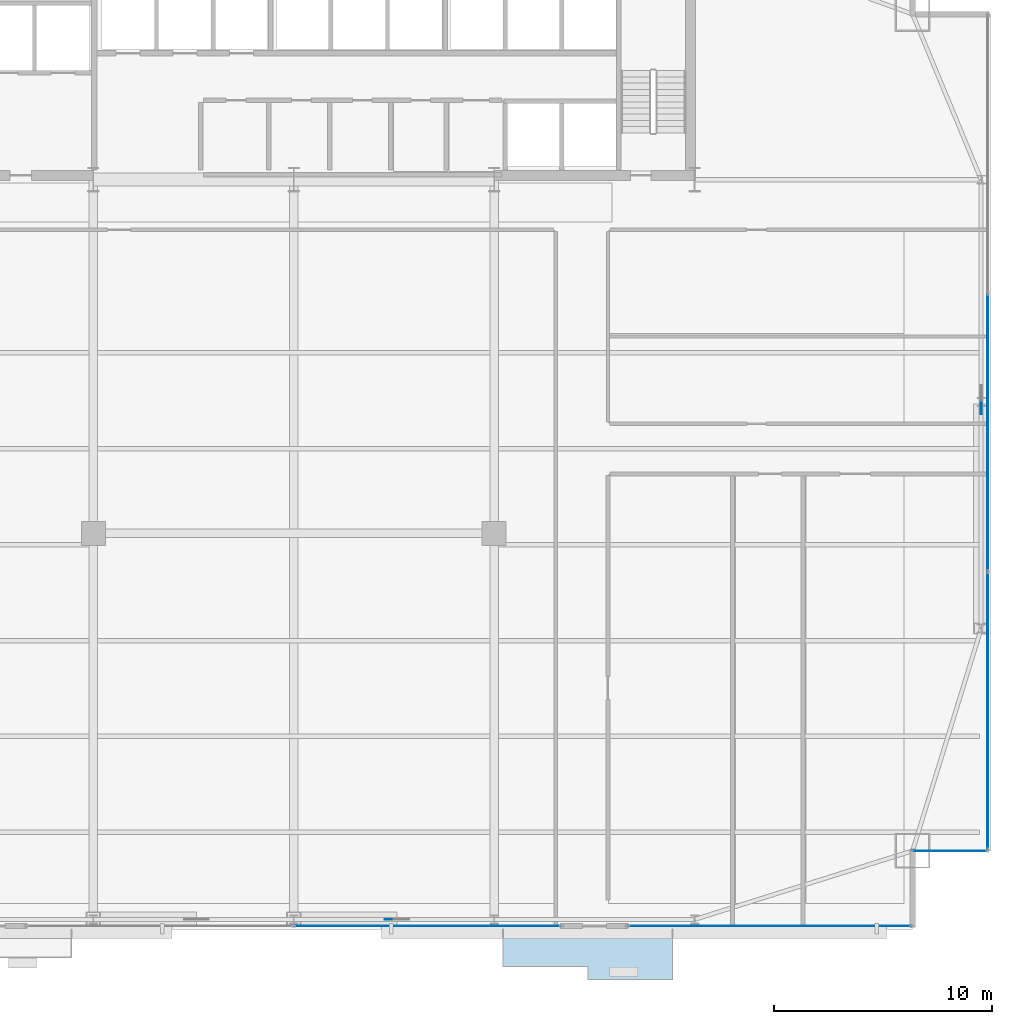
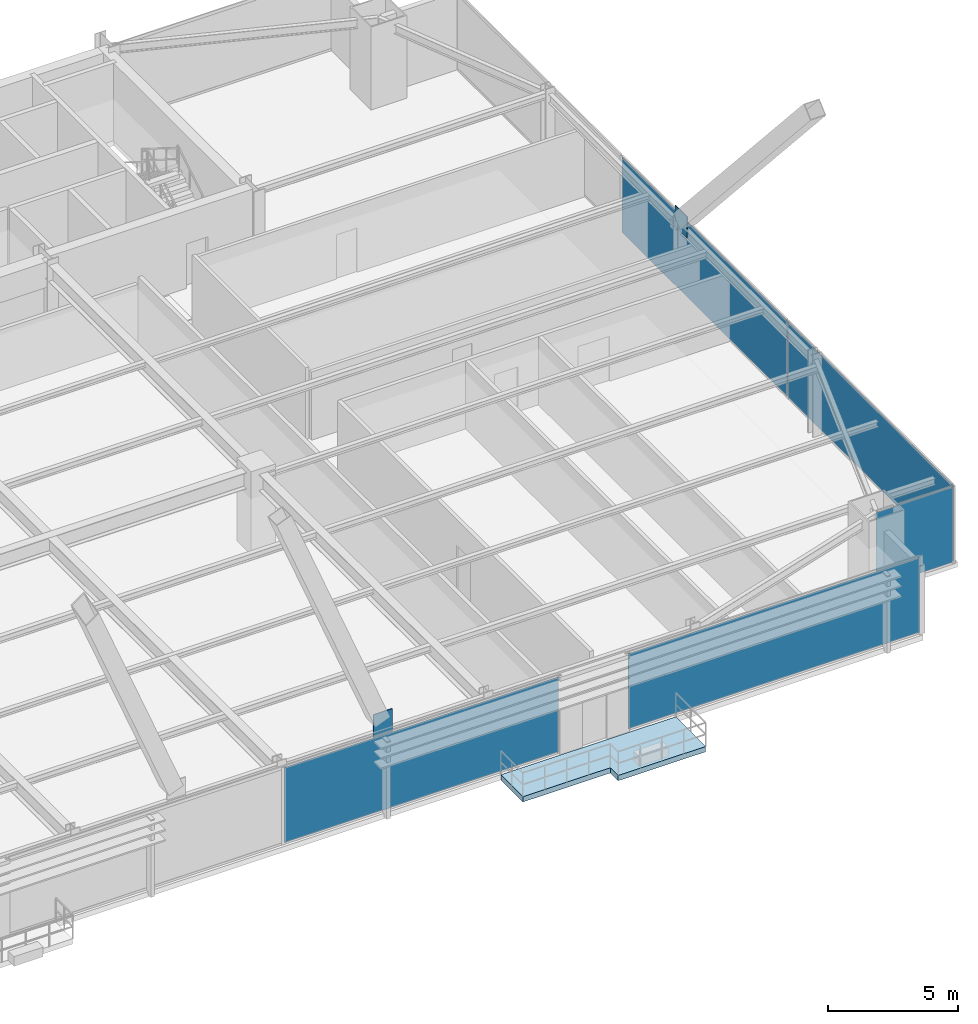
# One storey, part 27 of 35: 7 plates, 1 slab, 4 elements without a shape of their own.
"""IFC4 building model written with IfcOpenShell, lengths in metres."""

from ifc_helpers import new_model, si_unit, direction, frame, origin, origin_2d, place, context, subcontext, project, spatial, polyline, rectangle, outline, extrude, source, transform, mapped, material, layer, layer_set, type_object, type_shapes, element, aggregate, save


model = new_model("IFC4")

# Units and contexts
model_context = context("Model", 3, precision=1e-05, world=origin(), true_north=direction((0.0, 1.0)))
body_context = subcontext(model_context, "Body", "Model", "MODEL_VIEW")
ifc_project = project(units=[si_unit("LENGTHUNIT", "METRE"), si_unit("AREAUNIT", "SQUARE_METRE"), si_unit("VOLUMEUNIT", "CUBIC_METRE"), si_unit("PLANEANGLEUNIT", "RADIAN"), si_unit("MASSUNIT", "GRAM", prefix="KILO")], contexts=[model_context])

# Site, building, storey
site_placement = place(None, origin())
site = spatial("IfcSite", under=ifc_project, at=site_placement, CompositionType="ELEMENT")
building_placement = place(site_placement, origin())
building = spatial("IfcBuilding", under=site, at=building_placement, Name="Varnel Quay Broadcast Tower", CompositionType="ELEMENT")
storey_placement = place(building_placement, frame((0.0, 0.0, 66.60009765625)))
storey = spatial("IfcBuildingStorey", under=building, at=storey_placement, Name="L15", CompositionType="ELEMENT", Elevation=66.60009765625)

# Slab
ifc_material_1 = material(Name="Concrete CSA A23.3 C40/50", Category="concrete")
ifc_layer_1 = layer(ifc_material_1, 0.25, Name="Concrete CSA A23.3 C40/50")
ifc_layer_set_1 = layer_set([ifc_layer_1], Name="Concrete CSA A23.3 C40/50")
slab_type = type_object("IfcSlabType", Name="Slab_ExtTerrace250", PredefinedType="FLOOR", material=ifc_layer_set_1)
slab_placement = place(storey_placement, frame((0.0, 0.0, -0.25)))
element("IfcSlab", 1, at=slab_placement, inside=storey, type_object=slab_type, Name="L15 Planted Lobe Terrace Slab 2", PredefinedType="FLOOR", context=body_context, shape_type="SweptSolid", body=[
    extrude(outline(polyline([(43.60009765625, -0.5048828125), (47.4951171875, -0.5048828125), (47.4951171875, -1.10498046875), (51.389892578125, -1.10498046875), (51.389892578125, 1.199951171875), (43.60009765625, 1.199951171875), (43.60009765625, -0.5048828125)])), origin(), (0.0, 0.0, 1.0), 0.25),
])

# Plates
ifc_material_2 = material(Name="Structural Steel CSA G40.21 350WT", Category="steel")
ifc_layer_2 = layer(ifc_material_2, 0.0400390625, Name="Structural Steel CSA G40.21 350WT")
ifc_layer_set_2 = layer_set([ifc_layer_2], Name="Structural Steel CSA G40.21 350WT")
plate_type_1 = type_object("IfcPlateType", Name="Plate_MegaGusset", PredefinedType="USERDEFINED", material=ifc_layer_set_2)
shared_shape_1 = source(origin(), body_context, "Body", "SweptSolid", [
    extrude(rectangle(XDim=0.8349609375, YDim=0.0400390625, at=origin_2d()), origin(), (0.0, 0.0, 1.0), 1.429931640625),
])
plate_1_placement = place(storey_placement, frame((38.60009765625, 1.64990234375, 3.02490234375), z_axis=(0.0, 0.0, 1.0), x_axis=(1.0, 0.0, 0.0)))
element("IfcPlate", 2, at=plate_1_placement, inside=storey, type_object=plate_type_1, Name="Zone 1 Mega-Brace S-C2T3 Central X-Crossing Gusset Plate", ObjectType="GUSSET_PLATE", PredefinedType="USERDEFINED", context=body_context, shape_type="MappedRepresentation", body=[
    mapped(shared_shape_1, transform((0.0, 0.0, 0.0), x_axis=(1.0, 0.0, 0.0), y_axis=(0.0, 1.0, 0.0), z_axis=(0.0, 0.0, 1.0), scale=1.0)),
])
shared_shape_2 = source(origin(), body_context, "Body", "SweptSolid", [
    extrude(rectangle(XDim=0.943115234375, YDim=0.0400390625, at=origin_2d()), origin(), (0.0, 0.0, 1.0), 1.001953125),
])
type_shapes(plate_type_1, [shared_shape_1, shared_shape_2])
plate_2_placement = place(storey_placement, frame((65.550048828125, 25.300048828125, 3.239013671875), z_axis=(0.0, 0.0, 1.0), x_axis=(0.0, 1.0, 0.0)))
element("IfcPlate", 3, at=plate_2_placement, inside=storey, type_object=plate_type_1, Name="Zone 1 Mega-Brace E-FT3 Central X-Crossing Gusset Plate", ObjectType="GUSSET_PLATE", PredefinedType="USERDEFINED", context=body_context, shape_type="MappedRepresentation", body=[
    mapped(shared_shape_2, transform((0.0, 0.0, 0.0), x_axis=(1.0, 0.0, 0.0), y_axis=(0.0, 1.0, 0.0), z_axis=(0.0, 0.0, 1.0), scale=1.0)),
])

# Curtain wall, plate
ifc_material_3 = material(Name="Anodised Bronze Aluminium 6063-T6", Category="aluminium")
ifc_layer_3 = layer(ifc_material_3, 0.18994140625, Name="Anodised Bronze Aluminium 6063-T6")
ifc_layer_set_3 = layer_set([ifc_layer_3], Name="Anodised Bronze Aluminium 6063-T6")
curtain_wall_type_1 = type_object("IfcCurtainWallType", Name="CW_LowerTower", PredefinedType="NOTDEFINED", material=ifc_layer_set_3)
curtain_wall_1_placement = place(storey_placement, origin())
curtain_wall_1 = element("IfcCurtainWall", 4, at=curtain_wall_1_placement, inside=storey, type_object=curtain_wall_type_1, Name="L15 South Unitised Curtain Wall 3", PredefinedType="NOTDEFINED")
ifc_material_4 = material(Name="Triple-Glazed Bronze Low-E Architectural Glass", Category="glass")
ifc_layer_4 = layer(ifc_material_4, 0.031982421875, Name="Triple-Glazed Bronze Low-E Architectural Glass")
ifc_layer_set_4 = layer_set([ifc_layer_4], Name="Triple-Glazed Bronze Low-E Architectural Glass")
plate_type_2 = type_object("IfcPlateType", Name="Panel_CWS-02", PredefinedType="CURTAIN_PANEL", material=ifc_layer_set_4)
shared_shape_3 = source(origin(), body_context, "Body", "SweptSolid", [
    extrude(rectangle(XDim=12.97998046875, YDim=0.031982421875, at=origin_2d()), origin(), (0.0, 0.0, 1.0), 3.530029296875),
])
plate_3_placement = place(storey_placement, frame((55.840087890625, 1.35009765625, 0.06005859375), z_axis=(0.0, 0.0, 1.0), x_axis=(1.0, 0.0, 0.0)))
plate_3 = element("IfcPlate", 5, at=plate_3_placement, type_object=plate_type_2, Name="CWS-02 panel 1.1", PredefinedType="CURTAIN_PANEL", context=body_context, shape_type="MappedRepresentation", body=[
    mapped(shared_shape_3, transform((0.0, 0.0, 0.0), x_axis=(1.0, 0.0, 0.0), y_axis=(0.0, 1.0, 0.0), z_axis=(0.0, 0.0, 1.0), scale=1.0)),
])
aggregate(curtain_wall_1, [plate_3])

curtain_wall_2_placement = place(storey_placement, origin())
curtain_wall_2 = element("IfcCurtainWall", 6, at=curtain_wall_2_placement, inside=storey, type_object=curtain_wall_type_1, Name="L15 South Unitised Curtain Wall 2", PredefinedType="NOTDEFINED")
ifc_material_5 = material(Name="Insulated Bronze Spandrel Glass", Category="glass")
ifc_layer_5 = layer(ifc_material_5, 0.031982421875, Name="Insulated Bronze Spandrel Glass")
ifc_layer_set_5 = layer_set([ifc_layer_5], Name="Insulated Bronze Spandrel Glass")
plate_type_3 = type_object("IfcPlateType", Name="PanelSp_CWS-02", PredefinedType="CURTAIN_PANEL", material=ifc_layer_set_5)
shared_shape_4 = source(origin(), body_context, "Body", "SweptSolid", [
    extrude(rectangle(XDim=12.215087890625, YDim=0.031982421875, at=origin_2d()), origin(), (0.0, 0.0, 1.0), 3.530029296875),
])
plate_4_placement = place(storey_placement, frame((40.142578125, 1.35009765625, 0.06005859375), z_axis=(0.0, 0.0, 1.0), x_axis=(1.0, 0.0, 0.0)))
plate_4 = element("IfcPlate", 7, at=plate_4_placement, type_object=plate_type_3, Name="CWS-02 panel 2.1", PredefinedType="CURTAIN_PANEL", context=body_context, shape_type="MappedRepresentation", body=[
    mapped(shared_shape_4, transform((0.0, 0.0, 0.0), x_axis=(1.0, 0.0, 0.0), y_axis=(0.0, 1.0, 0.0), z_axis=(0.0, 0.0, 1.0), scale=1.0)),
])
aggregate(curtain_wall_2, [plate_4])

curtain_wall_3_placement = place(storey_placement, origin())
curtain_wall_3 = element("IfcCurtainWall", 8, at=curtain_wall_3_placement, inside=storey, type_object=curtain_wall_type_1, Name="L15 East Unitised Curtain Wall", PredefinedType="NOTDEFINED")
shared_shape_5 = source(origin(), body_context, "Body", "SweptSolid", [
    extrude(rectangle(XDim=12.72998046875, YDim=0.031982421875, at=origin_2d()), origin(), (0.0, 0.0, 1.0), 3.530029296875),
])
type_shapes(plate_type_3, [shared_shape_4, shared_shape_5])
plate_5_placement = place(storey_placement, frame((65.85009765625, 24.0, 0.06005859375), z_axis=(0.0, 0.0, 1.0), x_axis=(0.0, 1.0, 0.0)))
plate_5 = element("IfcPlate", 9, at=plate_5_placement, type_object=plate_type_3, Name="CWS-02 panel 2.1", PredefinedType="CURTAIN_PANEL", context=body_context, shape_type="MappedRepresentation", body=[
    mapped(shared_shape_5, transform((0.0, 0.0, 0.0), x_axis=(1.0, 0.0, 0.0), y_axis=(0.0, 1.0, 0.0), z_axis=(0.0, 0.0, 1.0), scale=1.0)),
])

ifc_layer_6 = layer(ifc_material_3, 0.18994140625, Name="Anodised Bronze Aluminium 6063-T6")
ifc_layer_set_6 = layer_set([ifc_layer_6], Name="Anodised Bronze Aluminium 6063-T6")
curtain_wall_type_2 = type_object("IfcCurtainWallType", Name="CW_NotchCorner", PredefinedType="NOTDEFINED", material=ifc_layer_set_6)
curtain_wall_4_placement = place(storey_placement, origin())
curtain_wall_4 = element("IfcCurtainWall", 10, at=curtain_wall_4_placement, inside=storey, type_object=curtain_wall_type_2, Name="L15 SE Notch Curtain Wall", PredefinedType="NOTDEFINED")
ifc_layer_7 = layer(ifc_material_4, 0.028076171875, Name="Triple-Glazed Bronze Low-E Architectural Glass")
ifc_layer_set_7 = layer_set([ifc_layer_7], Name="Triple-Glazed Bronze Low-E Architectural Glass")
plate_type_4 = type_object("IfcPlateType", Name="Panel_CWS-04", PredefinedType="CURTAIN_PANEL", material=ifc_layer_set_7)
shared_shape_6 = source(origin(), body_context, "Body", "SweptSolid", [
    extrude(rectangle(XDim=3.409912109375, YDim=0.028076171875, at=origin_2d()), origin(), (0.0, 0.0, 1.0), 3.5400390625),
])
type_shapes(plate_type_4, [shared_shape_6])
plate_6_placement = place(storey_placement, frame((64.0849609375, 4.800048828125, 0.054931640625), z_axis=(0.0, 0.0, 1.0), x_axis=(1.0, 0.0, 0.0)))
plate_6 = element("IfcPlate", 11, at=plate_6_placement, type_object=plate_type_4, Name="CWS-04 panel 1.1", PredefinedType="CURTAIN_PANEL", context=body_context, shape_type="MappedRepresentation", body=[
    mapped(shared_shape_6, transform((0.0, 0.0, 0.0), x_axis=(1.0, 0.0, 0.0), y_axis=(0.0, 1.0, 0.0), z_axis=(0.0, 0.0, 1.0), scale=1.0)),
])
aggregate(curtain_wall_4, [plate_6])

# Plate
shared_shape_7 = source(origin(), body_context, "Body", "SweptSolid", [
    extrude(rectangle(XDim=12.695068359375, YDim=0.031982421875, at=origin_2d()), origin(), (0.0, 0.0, 1.0), 3.530029296875),
])
type_shapes(plate_type_2, [shared_shape_3, shared_shape_7])
plate_7_placement = place(storey_placement, frame((65.85009765625, 11.217529296875, 0.06005859375), z_axis=(0.0, 0.0, 1.0), x_axis=(0.0, 1.0, 0.0)))
plate_7 = element("IfcPlate", 12, at=plate_7_placement, type_object=plate_type_2, Name="CWS-02 panel 1.1", PredefinedType="CURTAIN_PANEL", context=body_context, shape_type="MappedRepresentation", body=[
    mapped(shared_shape_7, transform((0.0, 0.0, 0.0), x_axis=(1.0, 0.0, 0.0), y_axis=(0.0, 1.0, 0.0), z_axis=(0.0, 0.0, 1.0), scale=1.0)),
])

aggregate(curtain_wall_3, [plate_7, plate_5])

save(model, "model.ifc")
